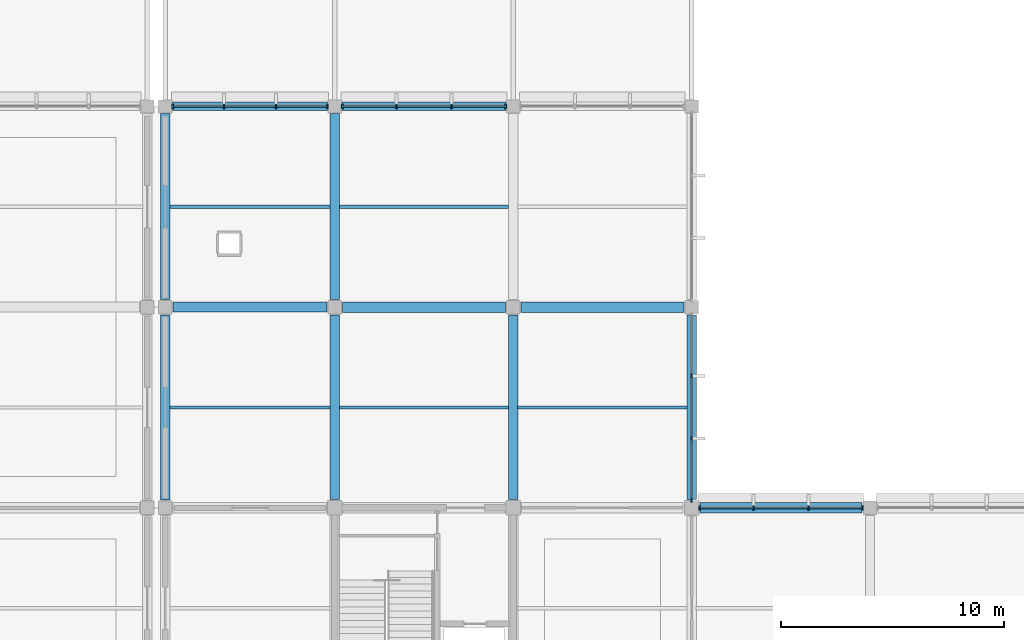
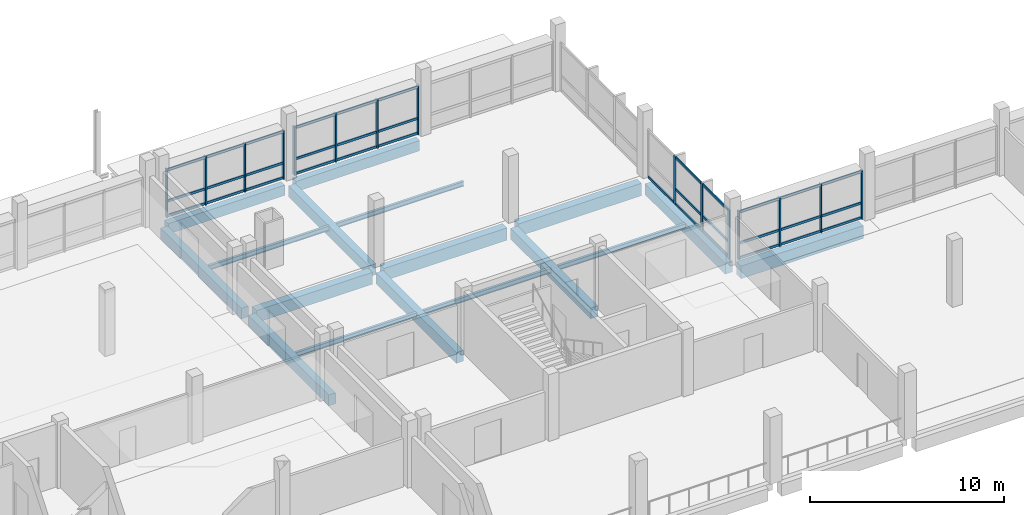
# One storey, part 27 of 57: 49 members, 17 beams, 4 elements without a shape of their own.
"""IFC4 building model written with IfcOpenShell, lengths in metres."""

from ifc_helpers import new_model, si_unit, direction, frame, origin, origin_2d, place, context, subcontext, project, spatial, rectangle, i_section, extrude, material, material_profile, profile_set, type_object, element, aggregate, save


model = new_model("IFC4")

# Units and contexts
model_context = context("Model", 3, precision=1e-05, world=origin(), true_north=direction((0.0, 1.0)))
body_context = subcontext(model_context, "Body", "Model", "MODEL_VIEW")
ifc_project = project(units=[si_unit("LENGTHUNIT", "METRE"), si_unit("AREAUNIT", "SQUARE_METRE"), si_unit("VOLUMEUNIT", "CUBIC_METRE"), si_unit("PLANEANGLEUNIT", "RADIAN"), si_unit("MASSUNIT", "GRAM", prefix="KILO"), si_unit("THERMODYNAMICTEMPERATUREUNIT", "KELVIN"), si_unit("POWERUNIT", "WATT")], contexts=[model_context])

# Site, building, storey
site_placement = place(None, origin())
site = spatial("IfcSite", under=ifc_project, at=site_placement, CompositionType="ELEMENT")
building_placement = place(site_placement, origin())
building = spatial("IfcBuilding", under=site, at=building_placement, Name="Kronsvod Quay Wholesale Market", CompositionType="ELEMENT")
storey_placement = place(building_placement, frame((0.0, 0.0, 4.800048828125)))
storey = spatial("IfcBuildingStorey", under=building, at=storey_placement, Name="L01", CompositionType="ELEMENT", Elevation=4.800048828125)

# Beams
ifc_material_1 = material(Name="Precast concrete C40/50", Category="concrete")
ifc_material_profile_1 = material_profile(ifc_material_1, rectangle(XDim=0.419921875, YDim=0.679931640625, at=origin_2d()), Name="PB-05")
ifc_profile_set_1 = profile_set([ifc_material_profile_1], Name="Precast concrete C40/50")
beam_type_1 = type_object("IfcBeamType", Name="Beam_PCB420x680", PredefinedType="BEAM", material=ifc_profile_set_1)
beam_1_placement = place(storey_placement, frame((128.39990234375, 108.35009765625, -0.64013671875), z_axis=(0.0, 1.0, 0.0), x_axis=(-1.0, 0.0, 0.0)))
element("IfcBeam", 1, at=beam_1_placement, inside=storey, type_object=beam_type_1, Name="BMY-L01-1284-1080", PredefinedType="BEAM", context=body_context, shape_type="SweptSolid", body=[
    extrude(rectangle(XDim=0.419921875, YDim=0.679931640625, at=origin_2d()), origin(), (0.0, 0.0, 1.0), 8.2998046875),
])
beam_2_placement = place(storey_placement, frame((128.39990234375, 117.35009765625, -0.64013671875), z_axis=(0.0, 1.0, 0.0), x_axis=(-1.0, 0.0, 0.0)))
element("IfcBeam", 2, at=beam_2_placement, inside=storey, type_object=beam_type_1, Name="BMY-L01-1284-1170", PredefinedType="BEAM", context=body_context, shape_type="SweptSolid", body=[
    extrude(rectangle(XDim=0.419921875, YDim=0.679931640625, at=origin_2d()), origin(), (0.0, 0.0, 1.0), 8.324951171875),
])
beam_3_placement = place(storey_placement, frame((136.0, 108.375, -0.64013671875), z_axis=(0.0, 1.0, 0.0), x_axis=(-1.0, 0.0, 0.0)))
element("IfcBeam", 3, at=beam_3_placement, inside=storey, type_object=beam_type_1, Name="BMY-L01-1360-1080", PredefinedType="BEAM", context=body_context, shape_type="SweptSolid", body=[
    extrude(rectangle(XDim=0.419921875, YDim=0.679931640625, at=origin_2d()), origin(), (0.0, 0.0, 1.0), 8.27490234375),
])
beam_4_placement = place(storey_placement, frame((136.0, 117.35009765625, -0.64013671875), z_axis=(0.0, 1.0, 0.0), x_axis=(-1.0, 0.0, 0.0)))
element("IfcBeam", 4, at=beam_4_placement, inside=storey, type_object=beam_type_1, Name="BMY-L01-1360-1170", PredefinedType="BEAM", context=body_context, shape_type="SweptSolid", body=[
    extrude(rectangle(XDim=0.419921875, YDim=0.679931640625, at=origin_2d()), origin(), (0.0, 0.0, 1.0), 8.324951171875),
])
for number, where, z_axis, x_axis, name in (
    (5, (144.0, 108.375, -0.64013671875), (0.0, 1.0, 0.0), (-1.0, 0.0, 0.0), "BMY-L01-1440-1080"),
    (6, (152.0, 108.375, -0.64013671875), (0.0, 1.0, 0.0), (-1.0, 0.0, 0.0), "BMY-L01-1520-1080"),
):
    element("IfcBeam", number, at=place(storey_placement, frame(where, z_axis=z_axis, x_axis=x_axis)), inside=storey, type_object=beam_type_1, Name=name, PredefinedType="BEAM", context=body_context, shape_type="SweptSolid", body=[
        extrude(rectangle(XDim=0.419921875, YDim=0.679931640625, at=origin_2d()), origin(), (0.0, 0.0, 1.0), 8.27490234375),
    ])
ifc_material_2 = material(Name="Precast concrete C40/50", Category="concrete")
ifc_material_profile_2 = material_profile(ifc_material_2, rectangle(XDim=0.449951171875, YDim=0.75, at=origin_2d()), Name="PCB450x750")
ifc_profile_set_2 = profile_set([ifc_material_profile_2], Name="Precast concrete C40/50")
beam_type_2 = type_object("IfcBeamType", Name="Beam_PCB450x750", PredefinedType="BEAM", material=ifc_profile_set_2)
beam_5_placement = place(storey_placement, frame((128.75, 117.0, -0.675048828125), z_axis=(1.0, 0.0, 0.0), x_axis=(0.0, 1.0, 0.0)))
element("IfcBeam", 7, at=beam_5_placement, inside=storey, type_object=beam_type_2, Name="BMX-L01-1284-1170", PredefinedType="BEAM", context=body_context, shape_type="SweptSolid", body=[
    extrude(rectangle(XDim=0.449951171875, YDim=0.75, at=origin_2d()), origin(), (0.0, 0.0, 1.0), 6.89990234375),
])
ifc_material_3 = material(Name="Precast concrete C40/50", Category="concrete")
ifc_material_profile_3 = material_profile(ifc_material_3, rectangle(XDim=0.4599609375, YDim=0.780029296875, at=origin_2d()), Name="PB-03")
ifc_profile_set_3 = profile_set([ifc_material_profile_3], Name="Precast concrete C40/50")
beam_type_3 = type_object("IfcBeamType", Name="Beam_PCB460x780", PredefinedType="BEAM", material=ifc_profile_set_3)
for number, where, z_axis, x_axis, name in (
    (8, (136.35009765625, 117.0, -0.68994140625), (1.0, 0.0, 0.0), (0.0, 1.0, 0.0), "BMX-L01-1360-1170"),
    (9, (144.35009765625, 117.0, -0.68994140625), (1.0, 0.0, 0.0), (0.0, 1.0, 0.0), "BMX-L01-1440-1170"),
):
    element("IfcBeam", number, at=place(storey_placement, frame(where, z_axis=z_axis, x_axis=x_axis)), inside=storey, type_object=beam_type_3, Name=name, PredefinedType="BEAM", context=body_context, shape_type="SweptSolid", body=[
        extrude(rectangle(XDim=0.4599609375, YDim=0.780029296875, at=origin_2d()), origin(), (0.0, 0.0, 1.0), 7.2998046875),
    ])
ifc_material_4 = material(Name="Precast concrete C40/50", Category="concrete")
ifc_material_profile_4 = material_profile(ifc_material_4, rectangle(XDim=0.47998046875, YDim=0.800048828125, at=origin_2d()), Name="PB-04")
ifc_profile_set_4 = profile_set([ifc_material_profile_4], Name="Precast concrete C40/50")
beam_type_4 = type_object("IfcBeamType", Name="Beam_PCB480x800", PredefinedType="BEAM", material=ifc_profile_set_4)
beam_6_placement = place(storey_placement, frame((152.375, 108.0, -0.699951171875), z_axis=(1.0, 0.0, 0.0), x_axis=(0.0, 1.0, 0.0)))
element("IfcBeam", 10, at=beam_6_placement, inside=storey, type_object=beam_type_4, Name="BMX-L01-1520-1080", PredefinedType="BEAM", context=body_context, shape_type="SweptSolid", body=[
    extrude(rectangle(XDim=0.47998046875, YDim=0.800048828125, at=origin_2d()), origin(), (0.0, 0.0, 1.0), 7.27490234375),
])
ifc_material_5 = material(Name="Steel S355", Category="steel")
ifc_material_profile_5 = material_profile(ifc_material_5, i_section(OverallWidth=0.14892578125, OverallDepth=0.298095703125, WebThickness=0.005615234375, FlangeThickness=0.008056640625, FilletRadius=0.012939453125, at=origin_2d()), Name="30B1")
ifc_profile_set_5 = profile_set([ifc_material_profile_5], Name="Steel S355")
beam_type_5 = type_object("IfcBeamType", Name="Joist_Steel30B1", PredefinedType="JOIST", material=ifc_profile_set_5)
for number, where, z_axis, x_axis, name in (
    (11, (128.60498046875, 112.5, -0.399169921875), (1.0, 0.0, 0.0), (0.0, 1.0, 0.0), "JSTX-L01-1284-1080"),
    (12, (128.60498046875, 121.5, -0.399169921875), (1.0, 0.0, 0.0), (0.0, 1.0, 0.0), "JSTX-L01-1284-1170"),
):
    element("IfcBeam", number, at=place(storey_placement, frame(where, z_axis=z_axis, x_axis=x_axis)), inside=storey, type_object=beam_type_5, Name=name, PredefinedType="JOIST", context=body_context, shape_type="SweptSolid", body=[
        extrude(i_section(OverallWidth=0.14892578125, OverallDepth=0.298095703125, WebThickness=0.005615234375, FlangeThickness=0.008056640625, FilletRadius=0.012939453125, at=origin_2d()), origin(), (0.0, 0.0, 1.0), 7.18994140625),
    ])
for number, where, z_axis, x_axis, name in (
    (13, (136.205078125, 112.5, -0.399169921875), (1.0, 0.0, 0.0), (0.0, 1.0, 0.0), "JSTX-L01-1360-1080"),
    (14, (136.205078125, 121.5, -0.399169921875), (1.0, 0.0, 0.0), (0.0, 1.0, 0.0), "JSTX-L01-1360-1170"),
    (15, (144.205078125, 112.5, -0.399169921875), (1.0, 0.0, 0.0), (0.0, 1.0, 0.0), "JSTX-L01-1440-1080"),
):
    element("IfcBeam", number, at=place(storey_placement, frame(where, z_axis=z_axis, x_axis=x_axis)), inside=storey, type_object=beam_type_5, Name=name, PredefinedType="JOIST", context=body_context, shape_type="SweptSolid", body=[
        extrude(i_section(OverallWidth=0.14892578125, OverallDepth=0.298095703125, WebThickness=0.005615234375, FlangeThickness=0.008056640625, FilletRadius=0.012939453125, at=origin_2d()), origin(), (0.0, 0.0, 1.0), 7.58984375),
    ])

# Curtain wall, members
ifc_material_6 = material(Name="Thermally broken aluminium and triple low-E glazing", Category="aluminium")
curtain_wall_type_1 = type_object("IfcCurtainWallType", Name="CW_Forecourt80x33", PredefinedType="NOTDEFINED", material=ifc_material_6)
curtain_wall_1_placement = place(storey_placement, origin())
curtain_wall_1 = element("IfcCurtainWall", 16, at=curtain_wall_1_placement, inside=storey, type_object=curtain_wall_type_1, Name="CWGX-L01-1520-1080", PredefinedType="NOTDEFINED")
ifc_material_7 = material(Name="Anodised aluminium", Category="aluminium")
ifc_material_profile_6 = material_profile(ifc_material_7, rectangle(XDim=0.074951171875, YDim=0.199951171875, at=origin_2d()), Name="ALUM75x200")
ifc_profile_set_6 = profile_set([ifc_material_profile_6], Name="Anodised aluminium")
member_type_1 = type_object("IfcMemberType", Name="Mullion_ALU75x200", PredefinedType="MULLION", material=ifc_profile_set_6)
member_1_placement = place(storey_placement, frame((159.66748046875, 108.0, 0.0), z_axis=(0.0, 0.0, 1.0), x_axis=(1.0, 0.0, 0.0)))
member_1 = element("IfcMember", 17, at=member_1_placement, type_object=member_type_1, Name="CWGX-L01-1520-1080-M1", PredefinedType="MULLION", context=body_context, shape_type="SweptSolid", body=[
    extrude(rectangle(XDim=0.074951171875, YDim=0.199951171875, at=origin_2d()), origin(), (0.0, 0.0, 1.0), 3.050048828125),
])
member_2_placement = place(storey_placement, frame((157.243408203125, 108.0, 0.0), z_axis=(0.0, 0.0, 1.0), x_axis=(1.0, 0.0, 0.0)))
member_2 = element("IfcMember", 18, at=member_2_placement, type_object=member_type_1, Name="CWGX-L01-1520-1080-M2", PredefinedType="MULLION", context=body_context, shape_type="SweptSolid", body=[
    extrude(rectangle(XDim=0.074951171875, YDim=0.199951171875, at=origin_2d()), origin(), (0.0, 0.0, 1.0), 3.050048828125),
])
member_3_placement = place(storey_placement, frame((154.78173828125, 108.0, 0.0), z_axis=(0.0, 0.0, 1.0), x_axis=(1.0, 0.0, 0.0)))
member_3 = element("IfcMember", 19, at=member_3_placement, type_object=member_type_1, Name="CWGX-L01-1520-1080-M3", PredefinedType="MULLION", context=body_context, shape_type="SweptSolid", body=[
    extrude(rectangle(XDim=0.074951171875, YDim=0.199951171875, at=origin_2d()), origin(), (0.0, 0.0, 1.0), 3.050048828125),
])
member_4_placement = place(storey_placement, frame((152.357421875, 108.0, 0.0), z_axis=(0.0, 0.0, 1.0), x_axis=(1.0, 0.0, 0.0)))
member_4 = element("IfcMember", 20, at=member_4_placement, type_object=member_type_1, Name="CWGX-L01-1520-1080-M4", PredefinedType="MULLION", context=body_context, shape_type="SweptSolid", body=[
    extrude(rectangle(XDim=0.074951171875, YDim=0.199951171875, at=origin_2d()), origin(), (0.0, 0.0, 1.0), 3.050048828125),
])

ifc_material_8 = material(Name="Thermally broken aluminium and triple low-E glazing", Category="aluminium")
curtain_wall_type_2 = type_object("IfcCurtainWallType", Name="CW_Harbour76x33", PredefinedType="NOTDEFINED", material=ifc_material_8)
curtain_wall_2_placement = place(storey_placement, origin())
curtain_wall_2 = element("IfcCurtainWall", 21, at=curtain_wall_2_placement, inside=storey, type_object=curtain_wall_type_2, Name="CWGX-L01-1284-1260", PredefinedType="NOTDEFINED")
member_5_placement = place(storey_placement, frame((135.66748046875, 126.0, 0.0), z_axis=(0.0, 0.0, 1.0), x_axis=(1.0, 0.0, 0.0)))
member_5 = element("IfcMember", 22, at=member_5_placement, type_object=member_type_1, Name="CWGX-L01-1284-1260-M1", PredefinedType="MULLION", context=body_context, shape_type="SweptSolid", body=[
    extrude(rectangle(XDim=0.074951171875, YDim=0.199951171875, at=origin_2d()), origin(), (0.0, 0.0, 1.0), 3.050048828125),
])
member_6_placement = place(storey_placement, frame((133.368408203125, 126.0, 0.0), z_axis=(0.0, 0.0, 1.0), x_axis=(1.0, 0.0, 0.0)))
member_6 = element("IfcMember", 23, at=member_6_placement, type_object=member_type_1, Name="CWGX-L01-1284-1260-M2", PredefinedType="MULLION", context=body_context, shape_type="SweptSolid", body=[
    extrude(rectangle(XDim=0.074951171875, YDim=0.199951171875, at=origin_2d()), origin(), (0.0, 0.0, 1.0), 3.050048828125),
])
member_7_placement = place(storey_placement, frame((131.03173828125, 126.0, 0.0), z_axis=(0.0, 0.0, 1.0), x_axis=(1.0, 0.0, 0.0)))
member_7 = element("IfcMember", 24, at=member_7_placement, type_object=member_type_1, Name="CWGX-L01-1284-1260-M3", PredefinedType="MULLION", context=body_context, shape_type="SweptSolid", body=[
    extrude(rectangle(XDim=0.074951171875, YDim=0.199951171875, at=origin_2d()), origin(), (0.0, 0.0, 1.0), 3.050048828125),
])
member_8_placement = place(storey_placement, frame((128.732421875, 126.0, 0.0), z_axis=(0.0, 0.0, 1.0), x_axis=(1.0, 0.0, 0.0)))
member_8 = element("IfcMember", 25, at=member_8_placement, type_object=member_type_1, Name="CWGX-L01-1284-1260-M4", PredefinedType="MULLION", context=body_context, shape_type="SweptSolid", body=[
    extrude(rectangle(XDim=0.074951171875, YDim=0.199951171875, at=origin_2d()), origin(), (0.0, 0.0, 1.0), 3.050048828125),
])

ifc_material_9 = material(Name="Thermally broken aluminium and triple low-E glazing", Category="aluminium")
curtain_wall_type_3 = type_object("IfcCurtainWallType", Name="CW_Harbour80x33", PredefinedType="NOTDEFINED", material=ifc_material_9)
curtain_wall_3_placement = place(storey_placement, origin())
curtain_wall_3 = element("IfcCurtainWall", 26, at=curtain_wall_3_placement, inside=storey, type_object=curtain_wall_type_3, Name="CWGX-L01-1360-1260", PredefinedType="NOTDEFINED")
member_9_placement = place(storey_placement, frame((143.66748046875, 126.0, 0.0), z_axis=(0.0, 0.0, 1.0), x_axis=(1.0, 0.0, 0.0)))
member_9 = element("IfcMember", 27, at=member_9_placement, type_object=member_type_1, Name="CWGX-L01-1360-1260-M1", PredefinedType="MULLION", context=body_context, shape_type="SweptSolid", body=[
    extrude(rectangle(XDim=0.074951171875, YDim=0.199951171875, at=origin_2d()), origin(), (0.0, 0.0, 1.0), 3.050048828125),
])
member_10_placement = place(storey_placement, frame((141.235107421875, 126.0, 0.0), z_axis=(0.0, 0.0, 1.0), x_axis=(1.0, 0.0, 0.0)))
member_10 = element("IfcMember", 28, at=member_10_placement, type_object=member_type_1, Name="CWGX-L01-1360-1260-M2", PredefinedType="MULLION", context=body_context, shape_type="SweptSolid", body=[
    extrude(rectangle(XDim=0.074951171875, YDim=0.199951171875, at=origin_2d()), origin(), (0.0, 0.0, 1.0), 3.050048828125),
])
member_11_placement = place(storey_placement, frame((138.764892578125, 126.0, 0.0), z_axis=(0.0, 0.0, 1.0), x_axis=(1.0, 0.0, 0.0)))
member_11 = element("IfcMember", 29, at=member_11_placement, type_object=member_type_1, Name="CWGX-L01-1360-1260-M3", PredefinedType="MULLION", context=body_context, shape_type="SweptSolid", body=[
    extrude(rectangle(XDim=0.074951171875, YDim=0.199951171875, at=origin_2d()), origin(), (0.0, 0.0, 1.0), 3.050048828125),
])
member_12_placement = place(storey_placement, frame((136.33251953125, 126.0, 0.0), z_axis=(0.0, 0.0, 1.0), x_axis=(1.0, 0.0, 0.0)))
member_12 = element("IfcMember", 30, at=member_12_placement, type_object=member_type_1, Name="CWGX-L01-1360-1260-M4", PredefinedType="MULLION", context=body_context, shape_type="SweptSolid", body=[
    extrude(rectangle(XDim=0.074951171875, YDim=0.199951171875, at=origin_2d()), origin(), (0.0, 0.0, 1.0), 3.050048828125),
])

ifc_material_10 = material(Name="Thermally broken aluminium and triple low-E glazing", Category="aluminium")
curtain_wall_type_4 = type_object("IfcCurtainWallType", Name="CW_Wing90x33", PredefinedType="NOTDEFINED", material=ifc_material_10)
curtain_wall_4_placement = place(storey_placement, origin())
curtain_wall_4 = element("IfcCurtainWall", 31, at=curtain_wall_4_placement, inside=storey, type_object=curtain_wall_type_4, Name="CWGY-L01-1520-1080", PredefinedType="NOTDEFINED")
member_13_placement = place(storey_placement, frame((152.0, 108.357421875, 0.0), z_axis=(0.0, 0.0, 1.0), x_axis=(1.0, 0.0, 0.0)))
member_13 = element("IfcMember", 32, at=member_13_placement, type_object=member_type_1, Name="CWGY-L01-1520-1080-M1", PredefinedType="MULLION", context=body_context, shape_type="SweptSolid", body=[
    extrude(rectangle(XDim=0.074951171875, YDim=0.199951171875, at=origin_2d()), origin(), (0.0, 0.0, 1.0), 3.050048828125),
])
member_14_placement = place(storey_placement, frame((152.0, 111.114990234375, 0.0), z_axis=(0.0, 0.0, 1.0), x_axis=(1.0, 0.0, 0.0)))
member_14 = element("IfcMember", 33, at=member_14_placement, type_object=member_type_1, Name="CWGY-L01-1520-1080-M2", PredefinedType="MULLION", context=body_context, shape_type="SweptSolid", body=[
    extrude(rectangle(XDim=0.074951171875, YDim=0.199951171875, at=origin_2d()), origin(), (0.0, 0.0, 1.0), 3.050048828125),
])
member_15_placement = place(storey_placement, frame((152.0, 113.909912109375, 0.0), z_axis=(0.0, 0.0, 1.0), x_axis=(1.0, 0.0, 0.0)))
member_15 = element("IfcMember", 34, at=member_15_placement, type_object=member_type_1, Name="CWGY-L01-1520-1080-M3", PredefinedType="MULLION", context=body_context, shape_type="SweptSolid", body=[
    extrude(rectangle(XDim=0.074951171875, YDim=0.199951171875, at=origin_2d()), origin(), (0.0, 0.0, 1.0), 3.050048828125),
])

# Beams
ifc_material_11 = material(Name="Precast concrete C40/50", Category="concrete")
ifc_material_profile_7 = material_profile(ifc_material_11, rectangle(XDim=0.3798828125, YDim=0.64990234375, at=origin_2d()), Name="SPB-03")
ifc_profile_set_7 = profile_set([ifc_material_profile_7], Name="Precast concrete C40/50")
beam_type_6 = type_object("IfcBeamType", Name="Spandrel_PCSP380x650", PredefinedType="SPANDREL", material=ifc_profile_set_7)
beam_7_placement = place(storey_placement, frame((128.72509765625, 126.0, -0.625), z_axis=(1.0, 0.0, 0.0), x_axis=(0.0, 1.0, 0.0)))
element("IfcBeam", 35, at=beam_7_placement, inside=storey, type_object=beam_type_6, Name="BMX-L01-1284-1260", PredefinedType="SPANDREL", context=body_context, shape_type="SweptSolid", body=[
    extrude(rectangle(XDim=0.3798828125, YDim=0.64990234375, at=origin_2d()), origin(), (0.0, 0.0, 1.0), 6.949951171875),
])
beam_8_placement = place(storey_placement, frame((136.324951171875, 126.0, -0.625), z_axis=(1.0, 0.0, 0.0), x_axis=(0.0, 1.0, 0.0)))
element("IfcBeam", 36, at=beam_8_placement, inside=storey, type_object=beam_type_6, Name="BMX-L01-1360-1260", PredefinedType="SPANDREL", context=body_context, shape_type="SweptSolid", body=[
    extrude(rectangle(XDim=0.3798828125, YDim=0.64990234375, at=origin_2d()), origin(), (0.0, 0.0, 1.0), 7.35009765625),
])

# Member
ifc_material_12 = material(Name="Anodised aluminium", Category="aluminium")
ifc_material_profile_8 = material_profile(ifc_material_12, rectangle(XDim=0.074951171875, YDim=0.14990234375, at=origin_2d()), Name="ALUT75x150")
ifc_profile_set_8 = profile_set([ifc_material_profile_8], Name="Anodised aluminium")
member_type_2 = type_object("IfcMemberType", Name="Transom_ALU75x150", PredefinedType="USERDEFINED", material=ifc_profile_set_8)
member_16_placement = place(storey_placement, frame((159.6298828125, 108.0, 0.074951171875), z_axis=(-1.0, 0.0, 0.0), x_axis=(0.0, -1.0, 0.0)))
member_16 = element("IfcMember", 37, at=member_16_placement, type_object=member_type_2, Name="CWGX-L01-1520-1080-T1B1", ObjectType="TRANSOM", PredefinedType="USERDEFINED", context=body_context, shape_type="SweptSolid", body=[
    extrude(rectangle(XDim=0.074951171875, YDim=0.14990234375, at=origin_2d()), origin(), (0.0, 0.0, 1.0), 2.34912109375),
])

member_17_placement = place(storey_placement, frame((157.205810546875, 108.0, 0.074951171875), z_axis=(-1.0, 0.0, 0.0), x_axis=(0.0, -1.0, 0.0)))
member_17 = element("IfcMember", 38, at=member_17_placement, type_object=member_type_2, Name="CWGX-L01-1520-1080-T1B2", ObjectType="TRANSOM", PredefinedType="USERDEFINED", context=body_context, shape_type="SweptSolid", body=[
    extrude(rectangle(XDim=0.074951171875, YDim=0.14990234375, at=origin_2d()), origin(), (0.0, 0.0, 1.0), 2.38671875),
])

member_18_placement = place(storey_placement, frame((154.744140625, 108.0, 0.074951171875), z_axis=(-1.0, 0.0, 0.0), x_axis=(0.0, -1.0, 0.0)))
member_18 = element("IfcMember", 39, at=member_18_placement, type_object=member_type_2, Name="CWGX-L01-1520-1080-T1B3", ObjectType="TRANSOM", PredefinedType="USERDEFINED", context=body_context, shape_type="SweptSolid", body=[
    extrude(rectangle(XDim=0.074951171875, YDim=0.14990234375, at=origin_2d()), origin(), (0.0, 0.0, 1.0), 2.34912109375),
])

member_19_placement = place(storey_placement, frame((159.6298828125, 108.0, 1.0), z_axis=(-1.0, 0.0, 0.0), x_axis=(0.0, -1.0, 0.0)))
member_19 = element("IfcMember", 40, at=member_19_placement, type_object=member_type_2, Name="CWGX-L01-1520-1080-T2B1", ObjectType="TRANSOM", PredefinedType="USERDEFINED", context=body_context, shape_type="SweptSolid", body=[
    extrude(rectangle(XDim=0.074951171875, YDim=0.14990234375, at=origin_2d()), origin(), (0.0, 0.0, 1.0), 2.34912109375),
])

member_20_placement = place(storey_placement, frame((157.205810546875, 108.0, 1.0), z_axis=(-1.0, 0.0, 0.0), x_axis=(0.0, -1.0, 0.0)))
member_20 = element("IfcMember", 41, at=member_20_placement, type_object=member_type_2, Name="CWGX-L01-1520-1080-T2B2", ObjectType="TRANSOM", PredefinedType="USERDEFINED", context=body_context, shape_type="SweptSolid", body=[
    extrude(rectangle(XDim=0.074951171875, YDim=0.14990234375, at=origin_2d()), origin(), (0.0, 0.0, 1.0), 2.38671875),
])

member_21_placement = place(storey_placement, frame((154.744140625, 108.0, 1.0), z_axis=(-1.0, 0.0, 0.0), x_axis=(0.0, -1.0, 0.0)))
member_21 = element("IfcMember", 42, at=member_21_placement, type_object=member_type_2, Name="CWGX-L01-1520-1080-T2B3", ObjectType="TRANSOM", PredefinedType="USERDEFINED", context=body_context, shape_type="SweptSolid", body=[
    extrude(rectangle(XDim=0.074951171875, YDim=0.14990234375, at=origin_2d()), origin(), (0.0, 0.0, 1.0), 2.34912109375),
])

member_22_placement = place(storey_placement, frame((159.6298828125, 108.0, 2.974853515625), z_axis=(-1.0, 0.0, 0.0), x_axis=(0.0, -1.0, 0.0)))
member_22 = element("IfcMember", 43, at=member_22_placement, type_object=member_type_2, Name="CWGX-L01-1520-1080-T3B1", ObjectType="TRANSOM", PredefinedType="USERDEFINED", context=body_context, shape_type="SweptSolid", body=[
    extrude(rectangle(XDim=0.074951171875, YDim=0.14990234375, at=origin_2d()), origin(), (0.0, 0.0, 1.0), 2.34912109375),
])

member_23_placement = place(storey_placement, frame((157.205810546875, 108.0, 2.974853515625), z_axis=(-1.0, 0.0, 0.0), x_axis=(0.0, -1.0, 0.0)))
member_23 = element("IfcMember", 44, at=member_23_placement, type_object=member_type_2, Name="CWGX-L01-1520-1080-T3B2", ObjectType="TRANSOM", PredefinedType="USERDEFINED", context=body_context, shape_type="SweptSolid", body=[
    extrude(rectangle(XDim=0.074951171875, YDim=0.14990234375, at=origin_2d()), origin(), (0.0, 0.0, 1.0), 2.38671875),
])

member_24_placement = place(storey_placement, frame((154.744140625, 108.0, 2.974853515625), z_axis=(-1.0, 0.0, 0.0), x_axis=(0.0, -1.0, 0.0)))
member_24 = element("IfcMember", 45, at=member_24_placement, type_object=member_type_2, Name="CWGX-L01-1520-1080-T3B3", ObjectType="TRANSOM", PredefinedType="USERDEFINED", context=body_context, shape_type="SweptSolid", body=[
    extrude(rectangle(XDim=0.074951171875, YDim=0.14990234375, at=origin_2d()), origin(), (0.0, 0.0, 1.0), 2.34912109375),
])

aggregate(curtain_wall_1, [member_1, member_2, member_3, member_4, member_16, member_17, member_18, member_19, member_20, member_21, member_22, member_23, member_24])

member_25_placement = place(storey_placement, frame((135.6298828125, 126.0, 0.074951171875), z_axis=(-1.0, 0.0, 0.0), x_axis=(0.0, -1.0, 0.0)))
member_25 = element("IfcMember", 46, at=member_25_placement, type_object=member_type_2, Name="CWGX-L01-1284-1260-T1B1", ObjectType="TRANSOM", PredefinedType="USERDEFINED", context=body_context, shape_type="SweptSolid", body=[
    extrude(rectangle(XDim=0.074951171875, YDim=0.14990234375, at=origin_2d()), origin(), (0.0, 0.0, 1.0), 2.22412109375),
])

member_26_placement = place(storey_placement, frame((133.330810546875, 126.0, 0.074951171875), z_axis=(-1.0, 0.0, 0.0), x_axis=(0.0, -1.0, 0.0)))
member_26 = element("IfcMember", 47, at=member_26_placement, type_object=member_type_2, Name="CWGX-L01-1284-1260-T1B2", ObjectType="TRANSOM", PredefinedType="USERDEFINED", context=body_context, shape_type="SweptSolid", body=[
    extrude(rectangle(XDim=0.074951171875, YDim=0.14990234375, at=origin_2d()), origin(), (0.0, 0.0, 1.0), 2.26171875),
])

member_27_placement = place(storey_placement, frame((130.994140625, 126.0, 0.074951171875), z_axis=(-1.0, 0.0, 0.0), x_axis=(0.0, -1.0, 0.0)))
member_27 = element("IfcMember", 48, at=member_27_placement, type_object=member_type_2, Name="CWGX-L01-1284-1260-T1B3", ObjectType="TRANSOM", PredefinedType="USERDEFINED", context=body_context, shape_type="SweptSolid", body=[
    extrude(rectangle(XDim=0.074951171875, YDim=0.14990234375, at=origin_2d()), origin(), (0.0, 0.0, 1.0), 2.22412109375),
])

member_28_placement = place(storey_placement, frame((135.6298828125, 126.0, 1.0), z_axis=(-1.0, 0.0, 0.0), x_axis=(0.0, -1.0, 0.0)))
member_28 = element("IfcMember", 49, at=member_28_placement, type_object=member_type_2, Name="CWGX-L01-1284-1260-T2B1", ObjectType="TRANSOM", PredefinedType="USERDEFINED", context=body_context, shape_type="SweptSolid", body=[
    extrude(rectangle(XDim=0.074951171875, YDim=0.14990234375, at=origin_2d()), origin(), (0.0, 0.0, 1.0), 2.22412109375),
])

member_29_placement = place(storey_placement, frame((133.330810546875, 126.0, 1.0), z_axis=(-1.0, 0.0, 0.0), x_axis=(0.0, -1.0, 0.0)))
member_29 = element("IfcMember", 50, at=member_29_placement, type_object=member_type_2, Name="CWGX-L01-1284-1260-T2B2", ObjectType="TRANSOM", PredefinedType="USERDEFINED", context=body_context, shape_type="SweptSolid", body=[
    extrude(rectangle(XDim=0.074951171875, YDim=0.14990234375, at=origin_2d()), origin(), (0.0, 0.0, 1.0), 2.26171875),
])

member_30_placement = place(storey_placement, frame((130.994140625, 126.0, 1.0), z_axis=(-1.0, 0.0, 0.0), x_axis=(0.0, -1.0, 0.0)))
member_30 = element("IfcMember", 51, at=member_30_placement, type_object=member_type_2, Name="CWGX-L01-1284-1260-T2B3", ObjectType="TRANSOM", PredefinedType="USERDEFINED", context=body_context, shape_type="SweptSolid", body=[
    extrude(rectangle(XDim=0.074951171875, YDim=0.14990234375, at=origin_2d()), origin(), (0.0, 0.0, 1.0), 2.22412109375),
])

member_31_placement = place(storey_placement, frame((135.6298828125, 126.0, 2.974853515625), z_axis=(-1.0, 0.0, 0.0), x_axis=(0.0, -1.0, 0.0)))
member_31 = element("IfcMember", 52, at=member_31_placement, type_object=member_type_2, Name="CWGX-L01-1284-1260-T3B1", ObjectType="TRANSOM", PredefinedType="USERDEFINED", context=body_context, shape_type="SweptSolid", body=[
    extrude(rectangle(XDim=0.074951171875, YDim=0.14990234375, at=origin_2d()), origin(), (0.0, 0.0, 1.0), 2.22412109375),
])

member_32_placement = place(storey_placement, frame((133.330810546875, 126.0, 2.974853515625), z_axis=(-1.0, 0.0, 0.0), x_axis=(0.0, -1.0, 0.0)))
member_32 = element("IfcMember", 53, at=member_32_placement, type_object=member_type_2, Name="CWGX-L01-1284-1260-T3B2", ObjectType="TRANSOM", PredefinedType="USERDEFINED", context=body_context, shape_type="SweptSolid", body=[
    extrude(rectangle(XDim=0.074951171875, YDim=0.14990234375, at=origin_2d()), origin(), (0.0, 0.0, 1.0), 2.26171875),
])

member_33_placement = place(storey_placement, frame((130.994140625, 126.0, 2.974853515625), z_axis=(-1.0, 0.0, 0.0), x_axis=(0.0, -1.0, 0.0)))
member_33 = element("IfcMember", 54, at=member_33_placement, type_object=member_type_2, Name="CWGX-L01-1284-1260-T3B3", ObjectType="TRANSOM", PredefinedType="USERDEFINED", context=body_context, shape_type="SweptSolid", body=[
    extrude(rectangle(XDim=0.074951171875, YDim=0.14990234375, at=origin_2d()), origin(), (0.0, 0.0, 1.0), 2.22412109375),
])

aggregate(curtain_wall_2, [member_5, member_6, member_7, member_8, member_25, member_26, member_27, member_28, member_29, member_30, member_31, member_32, member_33])

member_34_placement = place(storey_placement, frame((143.6298828125, 126.0, 0.074951171875), z_axis=(-1.0, 0.0, 0.0), x_axis=(0.0, -1.0, 0.0)))
member_34 = element("IfcMember", 55, at=member_34_placement, type_object=member_type_2, Name="CWGX-L01-1360-1260-T1B1", ObjectType="TRANSOM", PredefinedType="USERDEFINED", context=body_context, shape_type="SweptSolid", body=[
    extrude(rectangle(XDim=0.074951171875, YDim=0.14990234375, at=origin_2d()), origin(), (0.0, 0.0, 1.0), 2.357421875),
])

member_35_placement = place(storey_placement, frame((141.197509765625, 126.0, 0.074951171875), z_axis=(-1.0, 0.0, 0.0), x_axis=(0.0, -1.0, 0.0)))
member_35 = element("IfcMember", 56, at=member_35_placement, type_object=member_type_2, Name="CWGX-L01-1360-1260-T1B2", ObjectType="TRANSOM", PredefinedType="USERDEFINED", context=body_context, shape_type="SweptSolid", body=[
    extrude(rectangle(XDim=0.074951171875, YDim=0.14990234375, at=origin_2d()), origin(), (0.0, 0.0, 1.0), 2.39501953125),
])

member_36_placement = place(storey_placement, frame((138.7275390625, 126.0, 0.074951171875), z_axis=(-1.0, 0.0, 0.0), x_axis=(0.0, -1.0, 0.0)))
member_36 = element("IfcMember", 57, at=member_36_placement, type_object=member_type_2, Name="CWGX-L01-1360-1260-T1B3", ObjectType="TRANSOM", PredefinedType="USERDEFINED", context=body_context, shape_type="SweptSolid", body=[
    extrude(rectangle(XDim=0.074951171875, YDim=0.14990234375, at=origin_2d()), origin(), (0.0, 0.0, 1.0), 2.357421875),
])

member_37_placement = place(storey_placement, frame((143.6298828125, 126.0, 1.0), z_axis=(-1.0, 0.0, 0.0), x_axis=(0.0, -1.0, 0.0)))
member_37 = element("IfcMember", 58, at=member_37_placement, type_object=member_type_2, Name="CWGX-L01-1360-1260-T2B1", ObjectType="TRANSOM", PredefinedType="USERDEFINED", context=body_context, shape_type="SweptSolid", body=[
    extrude(rectangle(XDim=0.074951171875, YDim=0.14990234375, at=origin_2d()), origin(), (0.0, 0.0, 1.0), 2.357421875),
])

member_38_placement = place(storey_placement, frame((141.197509765625, 126.0, 1.0), z_axis=(-1.0, 0.0, 0.0), x_axis=(0.0, -1.0, 0.0)))
member_38 = element("IfcMember", 59, at=member_38_placement, type_object=member_type_2, Name="CWGX-L01-1360-1260-T2B2", ObjectType="TRANSOM", PredefinedType="USERDEFINED", context=body_context, shape_type="SweptSolid", body=[
    extrude(rectangle(XDim=0.074951171875, YDim=0.14990234375, at=origin_2d()), origin(), (0.0, 0.0, 1.0), 2.39501953125),
])

member_39_placement = place(storey_placement, frame((138.7275390625, 126.0, 1.0), z_axis=(-1.0, 0.0, 0.0), x_axis=(0.0, -1.0, 0.0)))
member_39 = element("IfcMember", 60, at=member_39_placement, type_object=member_type_2, Name="CWGX-L01-1360-1260-T2B3", ObjectType="TRANSOM", PredefinedType="USERDEFINED", context=body_context, shape_type="SweptSolid", body=[
    extrude(rectangle(XDim=0.074951171875, YDim=0.14990234375, at=origin_2d()), origin(), (0.0, 0.0, 1.0), 2.357421875),
])

member_40_placement = place(storey_placement, frame((143.6298828125, 126.0, 2.974853515625), z_axis=(-1.0, 0.0, 0.0), x_axis=(0.0, -1.0, 0.0)))
member_40 = element("IfcMember", 61, at=member_40_placement, type_object=member_type_2, Name="CWGX-L01-1360-1260-T3B1", ObjectType="TRANSOM", PredefinedType="USERDEFINED", context=body_context, shape_type="SweptSolid", body=[
    extrude(rectangle(XDim=0.074951171875, YDim=0.14990234375, at=origin_2d()), origin(), (0.0, 0.0, 1.0), 2.357421875),
])

member_41_placement = place(storey_placement, frame((141.197509765625, 126.0, 2.974853515625), z_axis=(-1.0, 0.0, 0.0), x_axis=(0.0, -1.0, 0.0)))
member_41 = element("IfcMember", 62, at=member_41_placement, type_object=member_type_2, Name="CWGX-L01-1360-1260-T3B2", ObjectType="TRANSOM", PredefinedType="USERDEFINED", context=body_context, shape_type="SweptSolid", body=[
    extrude(rectangle(XDim=0.074951171875, YDim=0.14990234375, at=origin_2d()), origin(), (0.0, 0.0, 1.0), 2.39501953125),
])

member_42_placement = place(storey_placement, frame((138.7275390625, 126.0, 2.974853515625), z_axis=(-1.0, 0.0, 0.0), x_axis=(0.0, -1.0, 0.0)))
member_42 = element("IfcMember", 63, at=member_42_placement, type_object=member_type_2, Name="CWGX-L01-1360-1260-T3B3", ObjectType="TRANSOM", PredefinedType="USERDEFINED", context=body_context, shape_type="SweptSolid", body=[
    extrude(rectangle(XDim=0.074951171875, YDim=0.14990234375, at=origin_2d()), origin(), (0.0, 0.0, 1.0), 2.357421875),
])

aggregate(curtain_wall_3, [member_9, member_10, member_11, member_12, member_34, member_35, member_36, member_37, member_38, member_39, member_40, member_41, member_42])

member_43_placement = place(storey_placement, frame((152.0, 108.39501953125, 0.074951171875), z_axis=(0.0, 1.0, 0.0), x_axis=(-1.0, 0.0, 0.0)))
member_43 = element("IfcMember", 64, at=member_43_placement, type_object=member_type_2, Name="CWGY-L01-1520-1080-T1B1", ObjectType="TRANSOM", PredefinedType="USERDEFINED", context=body_context, shape_type="SweptSolid", body=[
    extrude(rectangle(XDim=0.074951171875, YDim=0.14990234375, at=origin_2d()), origin(), (0.0, 0.0, 1.0), 2.682373046875),
])

member_44_placement = place(storey_placement, frame((152.0, 111.152587890625, 0.074951171875), z_axis=(0.0, 1.0, 0.0), x_axis=(-1.0, 0.0, 0.0)))
member_44 = element("IfcMember", 65, at=member_44_placement, type_object=member_type_2, Name="CWGY-L01-1520-1080-T1B2", ObjectType="TRANSOM", PredefinedType="USERDEFINED", context=body_context, shape_type="SweptSolid", body=[
    extrude(rectangle(XDim=0.074951171875, YDim=0.14990234375, at=origin_2d()), origin(), (0.0, 0.0, 1.0), 2.719970703125),
])

member_45_placement = place(storey_placement, frame((152.0, 113.947509765625, 0.074951171875), z_axis=(0.0, 1.0, 0.0), x_axis=(-1.0, 0.0, 0.0)))
member_45 = element("IfcMember", 66, at=member_45_placement, type_object=member_type_2, Name="CWGY-L01-1520-1080-T1B3", ObjectType="TRANSOM", PredefinedType="USERDEFINED", context=body_context, shape_type="SweptSolid", body=[
    extrude(rectangle(XDim=0.074951171875, YDim=0.14990234375, at=origin_2d()), origin(), (0.0, 0.0, 1.0), 2.682373046875),
])

member_46_placement = place(storey_placement, frame((152.0, 108.39501953125, 1.0), z_axis=(0.0, 1.0, 0.0), x_axis=(-1.0, 0.0, 0.0)))
member_46 = element("IfcMember", 67, at=member_46_placement, type_object=member_type_2, Name="CWGY-L01-1520-1080-T2B1", ObjectType="TRANSOM", PredefinedType="USERDEFINED", context=body_context, shape_type="SweptSolid", body=[
    extrude(rectangle(XDim=0.074951171875, YDim=0.14990234375, at=origin_2d()), origin(), (0.0, 0.0, 1.0), 2.682373046875),
])

member_47_placement = place(storey_placement, frame((152.0, 111.152587890625, 1.0), z_axis=(0.0, 1.0, 0.0), x_axis=(-1.0, 0.0, 0.0)))
member_47 = element("IfcMember", 68, at=member_47_placement, type_object=member_type_2, Name="CWGY-L01-1520-1080-T2B2", ObjectType="TRANSOM", PredefinedType="USERDEFINED", context=body_context, shape_type="SweptSolid", body=[
    extrude(rectangle(XDim=0.074951171875, YDim=0.14990234375, at=origin_2d()), origin(), (0.0, 0.0, 1.0), 2.719970703125),
])

member_48_placement = place(storey_placement, frame((152.0, 108.39501953125, 2.974853515625), z_axis=(0.0, 1.0, 0.0), x_axis=(-1.0, 0.0, 0.0)))
member_48 = element("IfcMember", 69, at=member_48_placement, type_object=member_type_2, Name="CWGY-L01-1520-1080-T3B1", ObjectType="TRANSOM", PredefinedType="USERDEFINED", context=body_context, shape_type="SweptSolid", body=[
    extrude(rectangle(XDim=0.074951171875, YDim=0.14990234375, at=origin_2d()), origin(), (0.0, 0.0, 1.0), 2.682373046875),
])

member_49_placement = place(storey_placement, frame((152.0, 111.152587890625, 2.974853515625), z_axis=(0.0, 1.0, 0.0), x_axis=(-1.0, 0.0, 0.0)))
member_49 = element("IfcMember", 70, at=member_49_placement, type_object=member_type_2, Name="CWGY-L01-1520-1080-T3B2", ObjectType="TRANSOM", PredefinedType="USERDEFINED", context=body_context, shape_type="SweptSolid", body=[
    extrude(rectangle(XDim=0.074951171875, YDim=0.14990234375, at=origin_2d()), origin(), (0.0, 0.0, 1.0), 2.719970703125),
])

aggregate(curtain_wall_4, [member_13, member_14, member_15, member_43, member_44, member_45, member_46, member_47, member_48, member_49])

save(model, "model.ifc")
